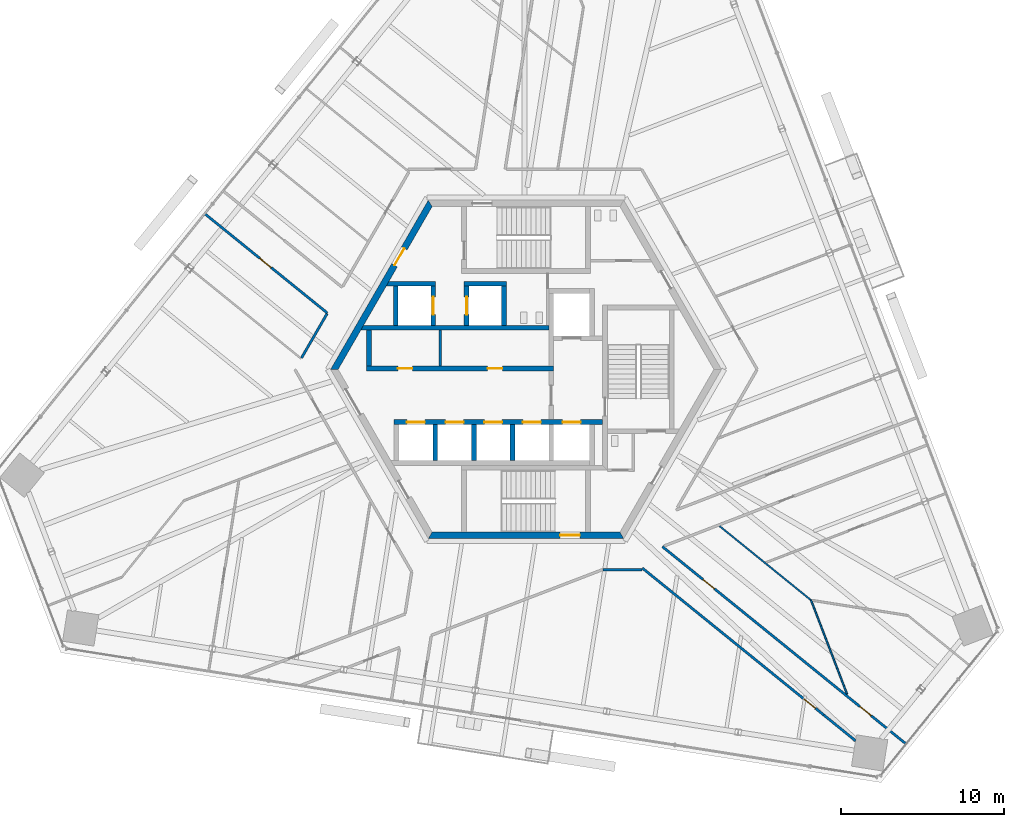
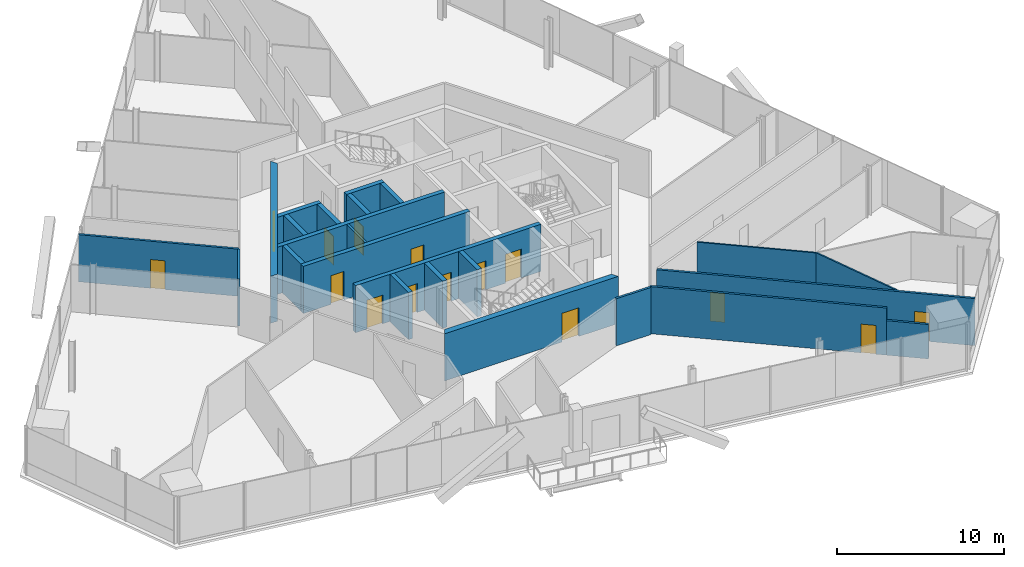
# One storey, part 12 of 19: 24 walls, 15 doors, 15 openings.
"""IFC4 building model written with IfcOpenShell, lengths in metres."""

from ifc_helpers import new_model, si_unit, direction, frame, frame_2d, origin, place, context, subcontext, project, spatial, polyline, rectangle, outline, extrude, source, transform, mapped, material, layer, layer_set, type_object, element, fill, save


model = new_model("IFC4")

# Units and contexts
model_context = context("Model", 3, precision=1e-05, world=origin(), true_north=direction((0.0, 1.0)))
body_context = subcontext(model_context, "Body", "Model", "MODEL_VIEW")
ifc_project = project(units=[si_unit("LENGTHUNIT", "METRE"), si_unit("AREAUNIT", "SQUARE_METRE"), si_unit("VOLUMEUNIT", "CUBIC_METRE"), si_unit("PLANEANGLEUNIT", "RADIAN"), si_unit("MASSUNIT", "GRAM", prefix="KILO")], contexts=[model_context])

# Site, building, storey
site_placement = place(None, origin())
site = spatial("IfcSite", under=ifc_project, at=site_placement, CompositionType="ELEMENT")
building_placement = place(site_placement, origin())
building = spatial("IfcBuilding", under=site, at=building_placement, Name="Triune Harvest Tower", CompositionType="ELEMENT")
storey_placement = place(building_placement, frame((0.0, 0.0, 149.699951171875)))
storey = spatial("IfcBuildingStorey", under=building, at=storey_placement, Name="L38", CompositionType="ELEMENT", Elevation=149.699951171875)

# Wall, opening, door
ifc_material_1 = material(Name="Concrete 70 MPa", Category="concrete")
ifc_layer_1 = layer(ifc_material_1, 0.39990234375)
ifc_layer_set_1 = layer_set([ifc_layer_1], Name="Concrete 70 MPa")
wall_type_1 = type_object("IfcWallType", Name="Core wall 400", PredefinedType="SHEAR", material=ifc_layer_set_1)
shared_shape_1 = source(origin(), body_context, "Body", "SweptSolid", [
    extrude(outline(polyline([(-0.115478515625, -0.199951171875), (11.884521484375, -0.199951171875), (11.653564453125, 0.199951171875), (0.115478515625, 0.199951171875), (-0.115478515625, -0.199951171875)])), origin(), (0.0, 0.0, 1.0), 3.43994140625),
])
wall_1_placement = place(storey_placement, frame((-5.884521484375, 10.1923828125, 0.0), z_axis=(0.0, 0.0, 1.0), x_axis=(-0.499996592174, -0.866027371285, 0.0)))
wall_1 = element("IfcWall", 1, at=wall_1_placement, inside=storey, type_object=wall_type_1, Name="Hexagon 2 wall", PredefinedType="SHEAR", context=body_context, shape_type="MappedRepresentation", body=[
    mapped(shared_shape_1, transform((0.0, 0.0, 0.0), scale=1.0)),
])
opening_1_placement = place(wall_1_placement, frame((3.1845703125, 0.0, 0.0)))
opening_1 = element("IfcOpeningElement", 2, at=opening_1_placement, cuts=wall_1, Name="Opening CD-SVP", PredefinedType="OPENING", context=body_context, shape_type="SweptSolid", body=[
    extrude(rectangle(XDim=1.199951171875, YDim=2.10009765625, at=frame_2d((0.60009765625, 1.050048828125))), frame((0.0, 0.2099609375, 0.0), z_axis=(0.0, -1.0, 0.0), x_axis=(1.0, 0.0, 0.0)), (0.0, 0.0, 1.0), 0.419921875),
])
ifc_material_2 = material(Name="Steel S235", Category="steel")
door_type_1 = type_object("IfcDoorType", Name="Service door 1200 FD120", OperationType="SINGLE_SWING_LEFT", PredefinedType="DOOR", material=ifc_material_2)
door_1_placement = place(opening_1_placement, frame((1.199951171875, 0.0, 0.0), z_axis=(0.0, 0.0, 1.0), x_axis=(-1.0, 0.0, 0.0)))
door_1 = element("IfcDoor", 3, at=door_1_placement, inside=storey, type_object=door_type_1, Name="Door CD-SVP", OperationType="SINGLE_SWING_RIGHT", OverallHeight=2.10009765625, OverallWidth=1.199951171875, PredefinedType="DOOR", context=body_context, shape_type="SweptSolid", body=[
    extrude(rectangle(XDim=1.199951171875, YDim=2.10009765625, at=frame_2d((0.60009765625, 1.050048828125))), frame((0.0, 0.02490234375, 0.0), z_axis=(0.0, -1.0, 0.0), x_axis=(1.0, 0.0, 0.0)), (0.0, 0.0, 1.0), 0.050048828125),
])
fill(opening_1, door_1)

wall_2_placement = place(storey_placement, frame((-5.884521484375, -10.1923828125, 0.0), z_axis=(0.0, 0.0, 1.0), x_axis=(1.0, 0.0, 0.0)))
wall_2 = element("IfcWall", 4, at=wall_2_placement, inside=storey, type_object=wall_type_1, Name="Hexagon 4 wall", PredefinedType="SHEAR", context=body_context, shape_type="MappedRepresentation", body=[
    mapped(shared_shape_1, transform((0.0, 0.0, 0.0), scale=1.0)),
])
opening_2_placement = place(wall_2_placement, frame((7.984619140625, 0.0, 0.0)))
opening_2 = element("IfcOpeningElement", 5, at=opening_2_placement, cuts=wall_2, Name="Opening CD-S2P", PredefinedType="OPENING", context=body_context, shape_type="SweptSolid", body=[
    extrude(rectangle(XDim=1.199951171875, YDim=2.10009765625, at=frame_2d((0.60009765625, 1.050048828125))), frame((0.0, 0.2099609375, 0.0), z_axis=(0.0, -1.0, 0.0), x_axis=(1.0, 0.0, 0.0)), (0.0, 0.0, 1.0), 0.419921875),
])
ifc_material_3 = material(Name="Steel S235", Category="steel")
door_type_2 = type_object("IfcDoorType", Name="Stair door 1200 FD120", OperationType="SINGLE_SWING_LEFT", PredefinedType="DOOR", material=ifc_material_3)
door_2_placement = place(opening_2_placement, frame((1.199951171875, 0.0, 0.0), z_axis=(0.0, 0.0, 1.0), x_axis=(-1.0, 0.0, 0.0)))
door_2 = element("IfcDoor", 6, at=door_2_placement, inside=storey, type_object=door_type_2, Name="Door CD-S2P", OperationType="SINGLE_SWING_RIGHT", OverallHeight=2.10009765625, OverallWidth=1.199951171875, PredefinedType="DOOR", context=body_context, shape_type="SweptSolid", body=[
    extrude(rectangle(XDim=1.199951171875, YDim=2.10009765625, at=frame_2d((0.60009765625, 1.050048828125))), frame((0.0, 0.02490234375, 0.0), z_axis=(0.0, -1.0, 0.0), x_axis=(1.0, 0.0, 0.0)), (0.0, 0.0, 1.0), 0.050048828125),
])
fill(opening_2, door_2)

# Wall, openings, doors
ifc_material_4 = material(Name="Concrete 70 MPa", Category="concrete")
ifc_layer_2 = layer(ifc_material_4, 0.300048828125)
ifc_layer_set_2 = layer_set([ifc_layer_2], Name="Concrete 70 MPa")
wall_type_2 = type_object("IfcWallType", Name="Core wall 300", PredefinedType="SHEAR", material=ifc_layer_set_2)
shared_shape_2 = source(origin(), body_context, "Body", "SweptSolid", [
    extrude(rectangle(XDim=11.5, YDim=0.300048828125, at=frame_2d((5.75, 0.0))), origin(), (0.0, 0.0, 1.0), 3.43994140625),
])
wall_3_placement = place(storey_placement, frame((-9.800048828125, 0.06005859375, 0.0), z_axis=(0.0, 0.0, 1.0), x_axis=(1.0, 0.0, 0.0)))
wall_3 = element("IfcWall", 7, at=wall_3_placement, inside=storey, type_object=wall_type_2, Name="North front wall", PredefinedType="SHEAR", context=body_context, shape_type="MappedRepresentation", body=[
    mapped(shared_shape_2, transform((0.0, 0.0, 0.0), scale=1.0)),
])
opening_3_placement = place(wall_3_placement, frame((1.922607421875, 0.0, 0.0)))
opening_3 = element("IfcOpeningElement", 8, at=opening_3_placement, cuts=wall_3, Name="Opening CD-RN1", PredefinedType="OPENING", context=body_context, shape_type="SweptSolid", body=[
    extrude(rectangle(XDim=0.89990234375, YDim=2.10009765625, at=frame_2d((0.449951171875, 1.050048828125))), frame((0.0, 0.16015625, 0.0), z_axis=(0.0, -1.0, 0.0), x_axis=(1.0, 0.0, 0.0)), (0.0, 0.0, 1.0), 0.320068359375),
])
opening_4_placement = place(wall_3_placement, frame((7.447509765625, 0.0, 0.0)))
opening_4 = element("IfcOpeningElement", 9, at=opening_4_placement, cuts=wall_3, Name="Opening CD-RN2", PredefinedType="OPENING", context=body_context, shape_type="SweptSolid", body=[
    extrude(rectangle(XDim=0.89990234375, YDim=2.10009765625, at=frame_2d((0.449951171875, 1.050048828125))), frame((0.0, 0.16015625, 0.0), z_axis=(0.0, -1.0, 0.0), x_axis=(1.0, 0.0, 0.0)), (0.0, 0.0, 1.0), 0.320068359375),
])
ifc_material_5 = material(Name="Steel S235", Category="steel")
door_type_3 = type_object("IfcDoorType", Name="Riser door 900 FD120", OperationType="SINGLE_SWING_LEFT", PredefinedType="DOOR", material=ifc_material_5)
door_3_placement = place(opening_3_placement, frame((0.89990234375, 0.0, 0.0), z_axis=(0.0, 0.0, 1.0), x_axis=(-1.0, 0.0, 0.0)))
door_3 = element("IfcDoor", 10, at=door_3_placement, inside=storey, type_object=door_type_3, Name="Door CD-RN1", OperationType="SINGLE_SWING_RIGHT", OverallHeight=2.10009765625, OverallWidth=0.89990234375, PredefinedType="DOOR", context=body_context, shape_type="SweptSolid", body=[
    extrude(rectangle(XDim=0.89990234375, YDim=2.10009765625, at=frame_2d((0.449951171875, 1.050048828125))), frame((0.0, 0.02490234375, 0.0), z_axis=(0.0, -1.0, 0.0), x_axis=(1.0, 0.0, 0.0)), (0.0, 0.0, 1.0), 0.050048828125),
])
fill(opening_3, door_3)
door_4_placement = place(opening_4_placement, frame((0.89990234375, 0.0, 0.0), z_axis=(0.0, 0.0, 1.0), x_axis=(-1.0, 0.0, 0.0)))
door_4 = element("IfcDoor", 11, at=door_4_placement, inside=storey, type_object=door_type_3, Name="Door CD-RN2", OperationType="SINGLE_SWING_RIGHT", OverallHeight=2.10009765625, OverallWidth=0.89990234375, PredefinedType="DOOR", context=body_context, shape_type="SweptSolid", body=[
    extrude(rectangle(XDim=0.89990234375, YDim=2.10009765625, at=frame_2d((0.449951171875, 1.050048828125))), frame((0.0, 0.02490234375, 0.0), z_axis=(0.0, -1.0, 0.0), x_axis=(1.0, 0.0, 0.0)), (0.0, 0.0, 1.0), 0.050048828125),
])
fill(opening_4, door_4)

# Wall
shared_shape_3 = source(origin(), body_context, "Body", "SweptSolid", [
    extrude(outline(polyline([(11.199951171875, -0.14990234375), (-0.34912109375, -0.14990234375), (-0.17578125, 0.14990234375), (11.199951171875, 0.14990234375), (11.199951171875, -0.14990234375)])), origin(), (0.0, 0.0, 1.0), 3.43994140625),
])
wall_4_placement = place(storey_placement, frame((-9.800048828125, 2.56005859375, 0.0), z_axis=(0.0, 0.0, 1.0), x_axis=(1.0, 0.0, 0.0)))
element("IfcWall", 12, at=wall_4_placement, inside=storey, type_object=wall_type_2, Name="North back wall", PredefinedType="SHEAR", context=body_context, shape_type="MappedRepresentation", body=[
    mapped(shared_shape_3, transform((0.0, 0.0, 0.0), scale=1.0)),
])

# Wall, openings, doors
shared_shape_4 = source(origin(), body_context, "Body", "SweptSolid", [
    extrude(rectangle(XDim=12.800048828125, YDim=0.300048828125, at=frame_2d((6.39990234375, 0.0))), origin(), (0.0, 0.0, 1.0), 3.43994140625),
])
wall_5_placement = place(storey_placement, frame((-8.10009765625, -3.239990234375, 0.0), z_axis=(0.0, 0.0, 1.0), x_axis=(1.0, 0.0, 0.0)))
wall_5 = element("IfcWall", 13, at=wall_5_placement, inside=storey, type_object=wall_type_2, Name="South front wall", PredefinedType="SHEAR", context=body_context, shape_type="MappedRepresentation", body=[
    mapped(shared_shape_4, transform((0.0, 0.0, 0.0), scale=1.0)),
])
opening_5_placement = place(wall_5_placement, frame((0.78759765625, 0.0, 0.0)))
opening_5 = element("IfcOpeningElement", 14, at=opening_5_placement, cuts=wall_5, Name="Opening LD-HR1-38", PredefinedType="OPENING", context=body_context, shape_type="SweptSolid", body=[
    extrude(rectangle(XDim=1.10009765625, YDim=2.10009765625, at=frame_2d((0.550048828125, 1.050048828125))), frame((0.0, 0.16015625, 0.0), z_axis=(0.0, -1.0, 0.0), x_axis=(1.0, 0.0, 0.0)), (0.0, 0.0, 1.0), 0.320068359375),
])
opening_6_placement = place(wall_5_placement, frame((3.16259765625, 0.0, 0.0)))
opening_6 = element("IfcOpeningElement", 15, at=opening_6_placement, cuts=wall_5, Name="Opening LD-HR2-38", PredefinedType="OPENING", context=body_context, shape_type="SweptSolid", body=[
    extrude(rectangle(XDim=1.10009765625, YDim=2.10009765625, at=frame_2d((0.550048828125, 1.050048828125))), frame((0.0, 0.16015625, 0.0), z_axis=(0.0, -1.0, 0.0), x_axis=(1.0, 0.0, 0.0)), (0.0, 0.0, 1.0), 0.320068359375),
])
opening_7_placement = place(wall_5_placement, frame((5.53759765625, 0.0, 0.0)))
opening_7 = element("IfcOpeningElement", 16, at=opening_7_placement, cuts=wall_5, Name="Opening LD-HR3-38", PredefinedType="OPENING", context=body_context, shape_type="SweptSolid", body=[
    extrude(rectangle(XDim=1.10009765625, YDim=2.10009765625, at=frame_2d((0.550048828125, 1.050048828125))), frame((0.0, 0.16015625, 0.0), z_axis=(0.0, -1.0, 0.0), x_axis=(1.0, 0.0, 0.0)), (0.0, 0.0, 1.0), 0.320068359375),
])
opening_8_placement = place(wall_5_placement, frame((7.91259765625, 0.0, 0.0)))
opening_8 = element("IfcOpeningElement", 17, at=opening_8_placement, cuts=wall_5, Name="Opening LD-HR4-38", PredefinedType="OPENING", context=body_context, shape_type="SweptSolid", body=[
    extrude(rectangle(XDim=1.10009765625, YDim=2.10009765625, at=frame_2d((0.550048828125, 1.050048828125))), frame((0.0, 0.16015625, 0.0), z_axis=(0.0, -1.0, 0.0), x_axis=(1.0, 0.0, 0.0)), (0.0, 0.0, 1.0), 0.320068359375),
])
opening_9_placement = place(wall_5_placement, frame((10.35009765625, 0.0, 0.0)))
opening_9 = element("IfcOpeningElement", 18, at=opening_9_placement, cuts=wall_5, Name="Opening LD-FF2-38", PredefinedType="OPENING", context=body_context, shape_type="SweptSolid", body=[
    extrude(rectangle(XDim=1.10009765625, YDim=2.10009765625, at=frame_2d((0.550048828125, 1.050048828125))), frame((0.0, 0.16015625, 0.0), z_axis=(0.0, -1.0, 0.0), x_axis=(1.0, 0.0, 0.0)), (0.0, 0.0, 1.0), 0.320068359375),
])
ifc_material_6 = material(Name="Stainless steel AISI 304", Category="steel")
door_type_4 = type_object("IfcDoorType", Name="Landing door 1100 x 2100", OperationType="DOUBLE_DOOR_SLIDING", PredefinedType="DOOR", material=ifc_material_6)
door_5_placement = place(opening_5_placement, origin())
door_5 = element("IfcDoor", 19, at=door_5_placement, inside=storey, type_object=door_type_4, Name="Door LD-HR1-38", OperationType="DOUBLE_DOOR_SLIDING", OverallHeight=2.10009765625, OverallWidth=1.10009765625, PredefinedType="DOOR", context=body_context, shape_type="SweptSolid", body=[
    extrude(rectangle(XDim=1.10009765625, YDim=2.10009765625, at=frame_2d((0.550048828125, 1.050048828125))), frame((0.0, 0.02490234375, 0.0), z_axis=(0.0, -1.0, 0.0), x_axis=(1.0, 0.0, 0.0)), (0.0, 0.0, 1.0), 0.050048828125),
])
fill(opening_5, door_5)
door_6_placement = place(opening_6_placement, origin())
door_6 = element("IfcDoor", 20, at=door_6_placement, inside=storey, type_object=door_type_4, Name="Door LD-HR2-38", OperationType="DOUBLE_DOOR_SLIDING", OverallHeight=2.10009765625, OverallWidth=1.10009765625, PredefinedType="DOOR", context=body_context, shape_type="SweptSolid", body=[
    extrude(rectangle(XDim=1.10009765625, YDim=2.10009765625, at=frame_2d((0.550048828125, 1.050048828125))), frame((0.0, 0.02490234375, 0.0), z_axis=(0.0, -1.0, 0.0), x_axis=(1.0, 0.0, 0.0)), (0.0, 0.0, 1.0), 0.050048828125),
])
fill(opening_6, door_6)
door_7_placement = place(opening_7_placement, origin())
door_7 = element("IfcDoor", 21, at=door_7_placement, inside=storey, type_object=door_type_4, Name="Door LD-HR3-38", OperationType="DOUBLE_DOOR_SLIDING", OverallHeight=2.10009765625, OverallWidth=1.10009765625, PredefinedType="DOOR", context=body_context, shape_type="SweptSolid", body=[
    extrude(rectangle(XDim=1.10009765625, YDim=2.10009765625, at=frame_2d((0.550048828125, 1.050048828125))), frame((0.0, 0.02490234375, 0.0), z_axis=(0.0, -1.0, 0.0), x_axis=(1.0, 0.0, 0.0)), (0.0, 0.0, 1.0), 0.050048828125),
])
fill(opening_7, door_7)
door_8_placement = place(opening_8_placement, origin())
door_8 = element("IfcDoor", 22, at=door_8_placement, inside=storey, type_object=door_type_4, Name="Door LD-HR4-38", OperationType="DOUBLE_DOOR_SLIDING", OverallHeight=2.10009765625, OverallWidth=1.10009765625, PredefinedType="DOOR", context=body_context, shape_type="SweptSolid", body=[
    extrude(rectangle(XDim=1.10009765625, YDim=2.10009765625, at=frame_2d((0.550048828125, 1.050048828125))), frame((0.0, 0.02490234375, 0.0), z_axis=(0.0, -1.0, 0.0), x_axis=(1.0, 0.0, 0.0)), (0.0, 0.0, 1.0), 0.050048828125),
])
fill(opening_8, door_8)
door_9_placement = place(opening_9_placement, origin())
door_9 = element("IfcDoor", 23, at=door_9_placement, inside=storey, type_object=door_type_4, Name="Door LD-FF2-38", OperationType="DOUBLE_DOOR_SLIDING", OverallHeight=2.10009765625, OverallWidth=1.10009765625, PredefinedType="DOOR", context=body_context, shape_type="SweptSolid", body=[
    extrude(rectangle(XDim=1.10009765625, YDim=2.10009765625, at=frame_2d((0.550048828125, 1.050048828125))), frame((0.0, 0.02490234375, 0.0), z_axis=(0.0, -1.0, 0.0), x_axis=(1.0, 0.0, 0.0)), (0.0, 0.0, 1.0), 0.050048828125),
])
fill(opening_9, door_9)

# Walls
shared_shape_5 = source(origin(), body_context, "Body", "SweptSolid", [
    extrude(rectangle(XDim=2.2001953125, YDim=0.300048828125, at=frame_2d((1.10009765625, 0.0))), origin(), (0.0, 0.0, 1.0), 3.43994140625),
])
for number, where, z_axis, x_axis, name in (
    (24, (-5.574951171875, -5.590087890625, 0.0), (0.0, 0.0, 1.0), (0.0, 1.0, 0.0), "South cross 1 wall"),
    (25, (-3.199951171875, -5.590087890625, 0.0), (0.0, 0.0, 1.0), (0.0, 1.0, 0.0), "South cross 2 wall"),
    (26, (-0.824951171875, -5.590087890625, 0.0), (0.0, 0.0, 1.0), (0.0, 1.0, 0.0), "South cross 3 wall"),
):
    element("IfcWall", number, at=place(storey_placement, frame(where, z_axis=z_axis, x_axis=x_axis)), inside=storey, type_object=wall_type_2, Name=name, PredefinedType="SHEAR", context=body_context, shape_type="MappedRepresentation", body=[
        mapped(shared_shape_5, transform((0.0, 0.0, 0.0), scale=1.0)),
    ])
shared_shape_6 = source(origin(), body_context, "Body", "SweptSolid", [
    extrude(rectangle(XDim=2.199951171875, YDim=0.300048828125, at=frame_2d((1.10009765625, 0.0))), origin(), (0.0, 0.0, 1.0), 3.43994140625),
])
wall_6_placement = place(storey_placement, frame((-9.64990234375, 0.2099609375, 0.0), z_axis=(0.0, 0.0, 1.0), x_axis=(0.0, 1.0, 0.0)))
element("IfcWall", 27, at=wall_6_placement, inside=storey, type_object=wall_type_2, Name="North end west wall", PredefinedType="SHEAR", context=body_context, shape_type="MappedRepresentation", body=[
    mapped(shared_shape_6, transform((0.0, 0.0, 0.0), scale=1.0)),
])
shared_shape_7 = source(origin(), body_context, "Body", "SweptSolid", [
    extrude(outline(polyline([(2.60009765625, -0.14990234375), (-0.440185546875, -0.14990234375), (-0.26708984375, 0.14990234375), (2.60009765625, 0.14990234375), (2.60009765625, -0.14990234375)])), origin(), (0.0, 0.0, 1.0), 3.43994140625),
])
wall_7_placement = place(storey_placement, frame((-8.14990234375, 5.260009765625, 0.0), z_axis=(0.0, 0.0, 1.0), x_axis=(1.0, 0.0, 0.0)))
element("IfcWall", 28, at=wall_7_placement, inside=storey, type_object=wall_type_2, Name="Sv1 north wall", PredefinedType="SHEAR", context=body_context, shape_type="MappedRepresentation", body=[
    mapped(shared_shape_7, transform((0.0, 0.0, 0.0), scale=1.0)),
])
shared_shape_8 = source(origin(), body_context, "Body", "SweptSolid", [
    extrude(rectangle(XDim=2.400146484375, YDim=0.300048828125, at=frame_2d((1.2001953125, 0.0))), origin(), (0.0, 0.0, 1.0), 3.43994140625),
])
wall_8_placement = place(storey_placement, frame((-8.0, 2.7099609375, 0.0), z_axis=(0.0, 0.0, 1.0), x_axis=(0.0, 1.0, 0.0)))
element("IfcWall", 29, at=wall_8_placement, inside=storey, type_object=wall_type_2, Name="Sv1 west wall", PredefinedType="SHEAR", context=body_context, shape_type="MappedRepresentation", body=[
    mapped(shared_shape_8, transform((0.0, 0.0, 0.0), scale=1.0)),
])

# Wall, opening, door
wall_9_placement = place(storey_placement, frame((-5.699951171875, 2.7099609375, 0.0), z_axis=(0.0, 0.0, 1.0), x_axis=(0.0, 1.0, 0.0)))
wall_9 = element("IfcWall", 30, at=wall_9_placement, inside=storey, type_object=wall_type_2, Name="Sv1 east wall", PredefinedType="SHEAR", context=body_context, shape_type="MappedRepresentation", body=[
    mapped(shared_shape_8, transform((0.0, 0.0, 0.0), scale=1.0)),
])
opening_10_placement = place(wall_9_placement, frame((0.64990234375, 0.0, 0.0)))
opening_10 = element("IfcOpeningElement", 31, at=opening_10_placement, cuts=wall_9, Name="Opening LD-SV1-38", PredefinedType="OPENING", context=body_context, shape_type="SweptSolid", body=[
    extrude(rectangle(XDim=1.10009765625, YDim=2.10009765625, at=frame_2d((0.550048828125, 1.050048828125))), frame((0.0, 0.16015625, 0.0), z_axis=(0.0, -1.0, 0.0), x_axis=(1.0, 0.0, 0.0)), (0.0, 0.0, 1.0), 0.320068359375),
])
door_10_placement = place(opening_10_placement, origin())
door_10 = element("IfcDoor", 32, at=door_10_placement, inside=storey, type_object=door_type_4, Name="Door LD-SV1-38", OperationType="DOUBLE_DOOR_SLIDING", OverallHeight=2.10009765625, OverallWidth=1.10009765625, PredefinedType="DOOR", context=body_context, shape_type="SweptSolid", body=[
    extrude(rectangle(XDim=1.10009765625, YDim=2.10009765625, at=frame_2d((0.550048828125, 1.050048828125))), frame((0.0, 0.02490234375, 0.0), z_axis=(0.0, -1.0, 0.0), x_axis=(1.0, 0.0, 0.0)), (0.0, 0.0, 1.0), 0.050048828125),
])
fill(opening_10, door_10)

wall_10_placement = place(storey_placement, frame((-3.64990234375, 2.7099609375, 0.0), z_axis=(0.0, 0.0, 1.0), x_axis=(0.0, 1.0, 0.0)))
wall_10 = element("IfcWall", 33, at=wall_10_placement, inside=storey, type_object=wall_type_2, Name="Sv2 west wall", PredefinedType="SHEAR", context=body_context, shape_type="MappedRepresentation", body=[
    mapped(shared_shape_8, transform((0.0, 0.0, 0.0), scale=1.0)),
])
opening_11_placement = place(wall_10_placement, frame((0.64990234375, 0.0, 0.0)))
opening_11 = element("IfcOpeningElement", 34, at=opening_11_placement, cuts=wall_10, Name="Opening LD-SV2-38", PredefinedType="OPENING", context=body_context, shape_type="SweptSolid", body=[
    extrude(rectangle(XDim=1.10009765625, YDim=2.10009765625, at=frame_2d((0.550048828125, 1.050048828125))), frame((0.0, 0.16015625, 0.0), z_axis=(0.0, -1.0, 0.0), x_axis=(1.0, 0.0, 0.0)), (0.0, 0.0, 1.0), 0.320068359375),
])
door_11_placement = place(opening_11_placement, origin())
door_11 = element("IfcDoor", 35, at=door_11_placement, inside=storey, type_object=door_type_4, Name="Door LD-SV2-38", OperationType="DOUBLE_DOOR_SLIDING", OverallHeight=2.10009765625, OverallWidth=1.10009765625, PredefinedType="DOOR", context=body_context, shape_type="SweptSolid", body=[
    extrude(rectangle(XDim=1.10009765625, YDim=2.10009765625, at=frame_2d((0.550048828125, 1.050048828125))), frame((0.0, 0.02490234375, 0.0), z_axis=(0.0, -1.0, 0.0), x_axis=(1.0, 0.0, 0.0)), (0.0, 0.0, 1.0), 0.050048828125),
])
fill(opening_11, door_11)

# Walls
wall_11_placement = place(storey_placement, frame((-1.35009765625, 2.7099609375, 0.0), z_axis=(0.0, 0.0, 1.0), x_axis=(0.0, 1.0, 0.0)))
element("IfcWall", 36, at=wall_11_placement, inside=storey, type_object=wall_type_2, Name="Sv2 east wall", PredefinedType="SHEAR", context=body_context, shape_type="MappedRepresentation", body=[
    mapped(shared_shape_8, transform((0.0, 0.0, 0.0), scale=1.0)),
])
shared_shape_9 = source(origin(), body_context, "Body", "SweptSolid", [
    extrude(rectangle(XDim=2.60009765625, YDim=0.300048828125, at=frame_2d((1.300048828125, 0.0))), origin(), (0.0, 0.0, 1.0), 3.43994140625),
])
wall_12_placement = place(storey_placement, frame((-3.800048828125, 5.260009765625, 0.0), z_axis=(0.0, 0.0, 1.0), x_axis=(1.0, 0.0, 0.0)))
element("IfcWall", 37, at=wall_12_placement, inside=storey, type_object=wall_type_2, Name="Sv2 north wall", PredefinedType="SHEAR", context=body_context, shape_type="MappedRepresentation", body=[
    mapped(shared_shape_9, transform((0.0, 0.0, 0.0), scale=1.0)),
])
ifc_material_7 = material(Name="Concrete masonry unit", Category="masonry")
ifc_layer_3 = layer(ifc_material_7, 0.14990234375)
ifc_layer_set_3 = layer_set([ifc_layer_3], Name="Concrete masonry unit")
wall_type_3 = type_object("IfcWallType", Name="Block partition 150", PredefinedType="PARTITIONING", material=ifc_layer_set_3)
shared_shape_10 = source(origin(), body_context, "Body", "SweptSolid", [
    extrude(rectangle(XDim=2.199951171875, YDim=0.14990234375, at=frame_2d((1.10009765625, 0.0))), origin(), (0.0, 0.0, 1.0), 3.43994140625),
])
wall_13_placement = place(storey_placement, frame((-5.280029296875, 0.2099609375, 0.0), z_axis=(0.0, 0.0, 1.0), x_axis=(0.0, 1.0, 0.0)))
element("IfcWall", 38, at=wall_13_placement, inside=storey, type_object=wall_type_3, Name="Row n part 1 wall", PredefinedType="PARTITIONING", context=body_context, shape_type="MappedRepresentation", body=[
    mapped(shared_shape_10, transform((0.0, 0.0, 0.0), scale=1.0)),
])
ifc_material_8 = material(Name="Gypsum board on steel studs", Category="steel")
ifc_layer_4 = layer(ifc_material_8, 0.10009765625)
ifc_layer_set_4 = layer_set([ifc_layer_4], Name="Gypsum board on steel studs")
wall_type_4 = type_object("IfcWallType", Name="Partition 100 mm", PredefinedType="PARTITIONING", material=ifc_layer_set_4)
shared_shape_11 = source(origin(), body_context, "Body", "SweptSolid", [
    extrude(rectangle(XDim=6.175048828125, YDim=0.10009765625, at=frame_2d((3.08740234375, 0.0))), origin(), (0.0, 0.0, 1.0), 3.43994140625),
])
wall_14_placement = place(storey_placement, frame((17.498779296875, -14.170166015625, 0.0), z_axis=(0.0, 0.0, 1.0), x_axis=(0.358361696596, -0.933582826756, 0.0)))
element("IfcWall", 39, at=wall_14_placement, inside=storey, type_object=wall_type_4, Name="Partition L38 002", PredefinedType="PARTITIONING", context=body_context, shape_type="MappedRepresentation", body=[
    mapped(shared_shape_11, transform((0.0, 0.0, 0.0), scale=1.0)),
])

# Wall, opening, door
ifc_material_9 = material(Name="Gypsum board on steel studs", Category="steel")
ifc_layer_5 = layer(ifc_material_9, 0.14990234375)
ifc_layer_set_5 = layer_set([ifc_layer_5], Name="Gypsum board on steel studs")
wall_type_5 = type_object("IfcWallType", Name="Fire Partition 150 mm", PredefinedType="PARTITIONING", material=ifc_layer_set_5)
shared_shape_12 = source(origin(), body_context, "Body", "SweptSolid", [
    extrude(rectangle(XDim=9.695068359375, YDim=0.14990234375, at=frame_2d((4.84765625, 0.0))), origin(), (0.0, 0.0, 1.0), 3.43994140625),
])
wall_15_placement = place(storey_placement, frame((-19.731201171875, 9.560302734375, 0.0), z_axis=(0.0, 0.0, 1.0), x_axis=(0.777142821496, -0.629324268559, 0.0)))
wall_15 = element("IfcWall", 40, at=wall_15_placement, inside=storey, type_object=wall_type_5, Name="Partition L38 007", PredefinedType="PARTITIONING", context=body_context, shape_type="MappedRepresentation", body=[
    mapped(shared_shape_12, transform((0.0, 0.0, 0.0), scale=1.0)),
])
opening_12_placement = place(wall_15_placement, frame((4.35009765625, 0.0, 0.0)))
opening_12 = element("IfcOpeningElement", 41, at=opening_12_placement, cuts=wall_15, Name="Opening L38-012", PredefinedType="OPENING", context=body_context, shape_type="SweptSolid", body=[
    extrude(rectangle(XDim=0.89990234375, YDim=2.10009765625, at=frame_2d((0.449951171875, 1.050048828125))), frame((0.0, 0.0849609375, 0.0), z_axis=(0.0, -1.0, 0.0), x_axis=(1.0, 0.0, 0.0)), (0.0, 0.0, 1.0), 0.169921875),
])
ifc_material_10 = material(Name="Timber and steel door set", Category="steel")
door_type_5 = type_object("IfcDoorType", Name="Single leaf door FD30 right hand 900 x 2100", OperationType="SINGLE_SWING_RIGHT", PredefinedType="DOOR", material=ifc_material_10)
door_12_placement = place(opening_12_placement, origin())
door_12 = element("IfcDoor", 42, at=door_12_placement, inside=storey, type_object=door_type_5, Name="Door L38-012 Meeting Room 38.12", OperationType="SINGLE_SWING_RIGHT", OverallHeight=2.10009765625, OverallWidth=0.89990234375, PredefinedType="DOOR", context=body_context, shape_type="SweptSolid", body=[
    extrude(rectangle(XDim=0.89990234375, YDim=2.10009765625, at=frame_2d((0.449951171875, 1.050048828125))), frame((0.0, 0.02490234375, 0.0), z_axis=(0.0, -1.0, 0.0), x_axis=(1.0, 0.0, 0.0)), (0.0, 0.0, 1.0), 0.050048828125),
])
fill(opening_12, door_12)

shared_shape_13 = source(origin(), body_context, "Body", "SweptSolid", [
    extrude(rectangle(XDim=14.321533203125, YDim=0.14990234375, at=frame_2d((7.16064453125, 0.0))), origin(), (0.0, 0.0, 1.0), 3.43994140625),
])
wall_16_placement = place(storey_placement, frame((7.14697265625, -12.20556640625, 0.0), z_axis=(0.0, 0.0, 1.0), x_axis=(0.777141246754, -0.629326213179, 0.0)))
wall_16 = element("IfcWall", 43, at=wall_16_placement, inside=storey, type_object=wall_type_5, Name="Partition L38 008", PredefinedType="PARTITIONING", context=body_context, shape_type="MappedRepresentation", body=[
    mapped(shared_shape_13, transform((0.0, 0.0, 0.0), scale=1.0)),
])
opening_13_placement = place(wall_16_placement, frame((12.7734375, 0.0, 0.0)))
opening_13 = element("IfcOpeningElement", 44, at=opening_13_placement, cuts=wall_16, Name="Opening L38-020", PredefinedType="OPENING", context=body_context, shape_type="SweptSolid", body=[
    extrude(rectangle(XDim=0.89990234375, YDim=2.10009765625, at=frame_2d((0.449951171875, 1.050048828125))), frame((0.0, 0.0849609375, 0.0), z_axis=(0.0, -1.0, 0.0), x_axis=(1.0, 0.0, 0.0)), (0.0, 0.0, 1.0), 0.169921875),
])
ifc_material_11 = material(Name="Timber and steel door set", Category="steel")
door_type_6 = type_object("IfcDoorType", Name="Single leaf door FD30 left hand 900 x 2100", OperationType="SINGLE_SWING_LEFT", PredefinedType="DOOR", material=ifc_material_11)
door_13_placement = place(opening_13_placement, origin())
door_13 = element("IfcDoor", 45, at=door_13_placement, inside=storey, type_object=door_type_6, Name="Door L38-020 Open Office 38.20", OperationType="SINGLE_SWING_LEFT", OverallHeight=2.10009765625, OverallWidth=0.89990234375, PredefinedType="DOOR", context=body_context, shape_type="SweptSolid", body=[
    extrude(rectangle(XDim=0.89990234375, YDim=2.10009765625, at=frame_2d((0.449951171875, 1.050048828125))), frame((0.0, 0.02490234375, 0.0), z_axis=(0.0, -1.0, 0.0), x_axis=(1.0, 0.0, 0.0)), (0.0, 0.0, 1.0), 0.050048828125),
])
fill(opening_13, door_13)

# Wall
shared_shape_14 = source(origin(), body_context, "Body", "SweptSolid", [
    extrude(rectangle(XDim=2.52734375, YDim=0.14990234375, at=frame_2d((1.263671875, 0.0))), origin(), (0.0, 0.0, 1.0), 2.51806640625),
])
wall_17_placement = place(storey_placement, frame((18.27685546875, -21.218505859375, 0.0), z_axis=(0.0, 0.0, 1.0), x_axis=(0.777132380952, -0.629337161206, 0.0)))
element("IfcWall", 46, at=wall_17_placement, inside=storey, type_object=wall_type_5, Name="Partition L38 008a", PredefinedType="PARTITIONING", context=body_context, shape_type="MappedRepresentation", body=[
    mapped(shared_shape_14, transform((0.0, 0.0, 0.0), scale=1.0)),
])

# Wall, openings, doors
shared_shape_15 = source(origin(), body_context, "Body", "SweptSolid", [
    extrude(rectangle(XDim=19.250244140625, YDim=0.14990234375, at=frame_2d((9.625, 0.0))), origin(), (0.0, 0.0, 1.0), 3.43994140625),
])
wall_18_placement = place(storey_placement, frame((8.37548828125, -10.884033203125, 0.0), z_axis=(0.0, 0.0, 1.0), x_axis=(0.777140603602, -0.629327007392, 0.0)))
wall_18 = element("IfcWall", 47, at=wall_18_placement, inside=storey, type_object=wall_type_5, Name="Partition L38 010", PredefinedType="PARTITIONING", context=body_context, shape_type="MappedRepresentation", body=[
    mapped(shared_shape_15, transform((0.0, 0.0, 0.0), scale=1.0)),
])
opening_14_placement = place(wall_18_placement, frame((3.211181640625, 0.0, 0.0)))
opening_14 = element("IfcOpeningElement", 48, at=opening_14_placement, cuts=wall_18, Name="Opening L38-021", PredefinedType="OPENING", context=body_context, shape_type="SweptSolid", body=[
    extrude(rectangle(XDim=0.89990234375, YDim=2.10009765625, at=frame_2d((0.449951171875, 1.050048828125))), frame((0.0, 0.0849609375, 0.0), z_axis=(0.0, -1.0, 0.0), x_axis=(1.0, 0.0, 0.0)), (0.0, 0.0, 1.0), 0.169921875),
])
opening_15_placement = place(wall_18_placement, frame((15.6005859375, 0.0, 0.0)))
opening_15 = element("IfcOpeningElement", 49, at=opening_15_placement, cuts=wall_18, Name="Opening L38-022", PredefinedType="OPENING", context=body_context, shape_type="SweptSolid", body=[
    extrude(rectangle(XDim=0.89990234375, YDim=2.10009765625, at=frame_2d((0.449951171875, 1.050048828125))), frame((0.0, 0.0849609375, 0.0), z_axis=(0.0, -1.0, 0.0), x_axis=(1.0, 0.0, 0.0)), (0.0, 0.0, 1.0), 0.169921875),
])
door_14_placement = place(opening_14_placement, origin())
door_14 = element("IfcDoor", 50, at=door_14_placement, inside=storey, type_object=door_type_6, Name="Door L38-021 Dry Store Room 38.21", OperationType="SINGLE_SWING_LEFT", OverallHeight=2.10009765625, OverallWidth=0.89990234375, PredefinedType="DOOR", context=body_context, shape_type="SweptSolid", body=[
    extrude(rectangle(XDim=0.89990234375, YDim=2.10009765625, at=frame_2d((0.449951171875, 1.050048828125))), frame((0.0, 0.02490234375, 0.0), z_axis=(0.0, -1.0, 0.0), x_axis=(1.0, 0.0, 0.0)), (0.0, 0.0, 1.0), 0.050048828125),
])
fill(opening_14, door_14)
door_15_placement = place(opening_15_placement, origin())
door_15 = element("IfcDoor", 51, at=door_15_placement, inside=storey, type_object=door_type_5, Name="Door L38-022 Office 38.22", OperationType="SINGLE_SWING_RIGHT", OverallHeight=2.10009765625, OverallWidth=0.89990234375, PredefinedType="DOOR", context=body_context, shape_type="SweptSolid", body=[
    extrude(rectangle(XDim=0.89990234375, YDim=2.10009765625, at=frame_2d((0.449951171875, 1.050048828125))), frame((0.0, 0.02490234375, 0.0), z_axis=(0.0, -1.0, 0.0), x_axis=(1.0, 0.0, 0.0)), (0.0, 0.0, 1.0), 0.050048828125),
])
fill(opening_15, door_15)

# Walls
shared_shape_16 = source(origin(), body_context, "Body", "SweptSolid", [
    extrude(rectangle(XDim=7.22802734375, YDim=0.10009765625, at=frame_2d((3.614013671875, 0.0))), origin(), (0.0, 0.0, 1.0), 3.43994140625),
])
wall_19_placement = place(storey_placement, frame((11.881591796875, -9.621337890625, 0.0), z_axis=(0.0, 0.0, 1.0), x_axis=(0.777137884009, -0.629330365736, 0.0)))
element("IfcWall", 52, at=wall_19_placement, inside=storey, type_object=wall_type_4, Name="Partition L38 013", PredefinedType="PARTITIONING", context=body_context, shape_type="MappedRepresentation", body=[
    mapped(shared_shape_16, transform((0.0, 0.0, 0.0), scale=1.0)),
])
shared_shape_17 = source(origin(), body_context, "Body", "SweptSolid", [
    extrude(rectangle(XDim=2.3974609375, YDim=0.14990234375, at=frame_2d((1.19873046875, 0.0))), origin(), (0.0, 0.0, 1.0), 3.43994140625),
])
wall_20_placement = place(storey_placement, frame((4.716552734375, -12.292236328125, 0.0), z_axis=(0.0, 0.0, 1.0), x_axis=(1.0, 0.0, 0.0)))
element("IfcWall", 53, at=wall_20_placement, inside=storey, type_object=wall_type_5, Name="Partition L38 022", PredefinedType="PARTITIONING", context=body_context, shape_type="MappedRepresentation", body=[
    mapped(shared_shape_17, transform((0.0, 0.0, 0.0), scale=1.0)),
])
shared_shape_18 = source(origin(), body_context, "Body", "SweptSolid", [
    extrude(rectangle(XDim=3.134521484375, YDim=0.14990234375, at=frame_2d((1.5673828125, 0.0))), origin(), (0.0, 0.0, 1.0), 3.43994140625),
])
wall_21_placement = place(storey_placement, frame((-13.7890625, 0.701171875, 0.0), z_axis=(0.0, 0.0, 1.0), x_axis=(0.500025839716, 0.866010484704, 0.0)))
element("IfcWall", 54, at=wall_21_placement, inside=storey, type_object=wall_type_5, Name="Partition L38 041", PredefinedType="PARTITIONING", context=body_context, shape_type="MappedRepresentation", body=[
    mapped(shared_shape_18, transform((0.0, 0.0, 0.0), scale=1.0)),
])

save(model, "model.ifc")
